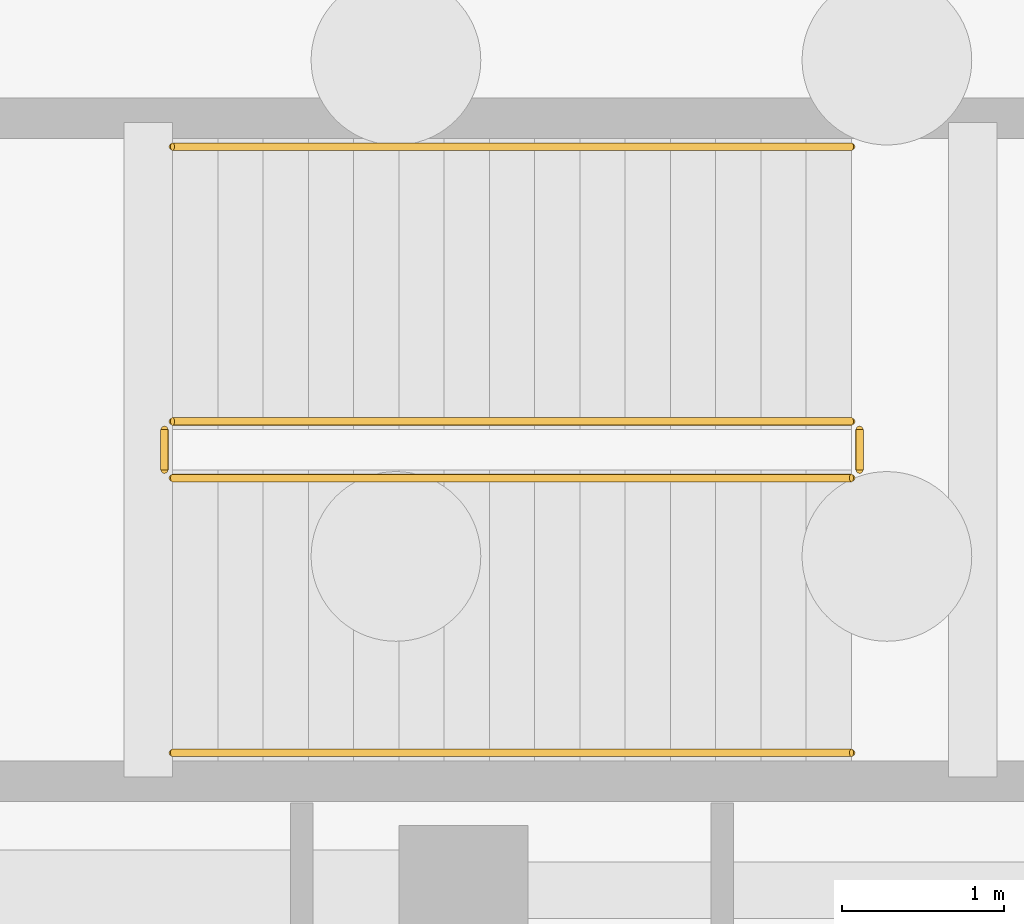
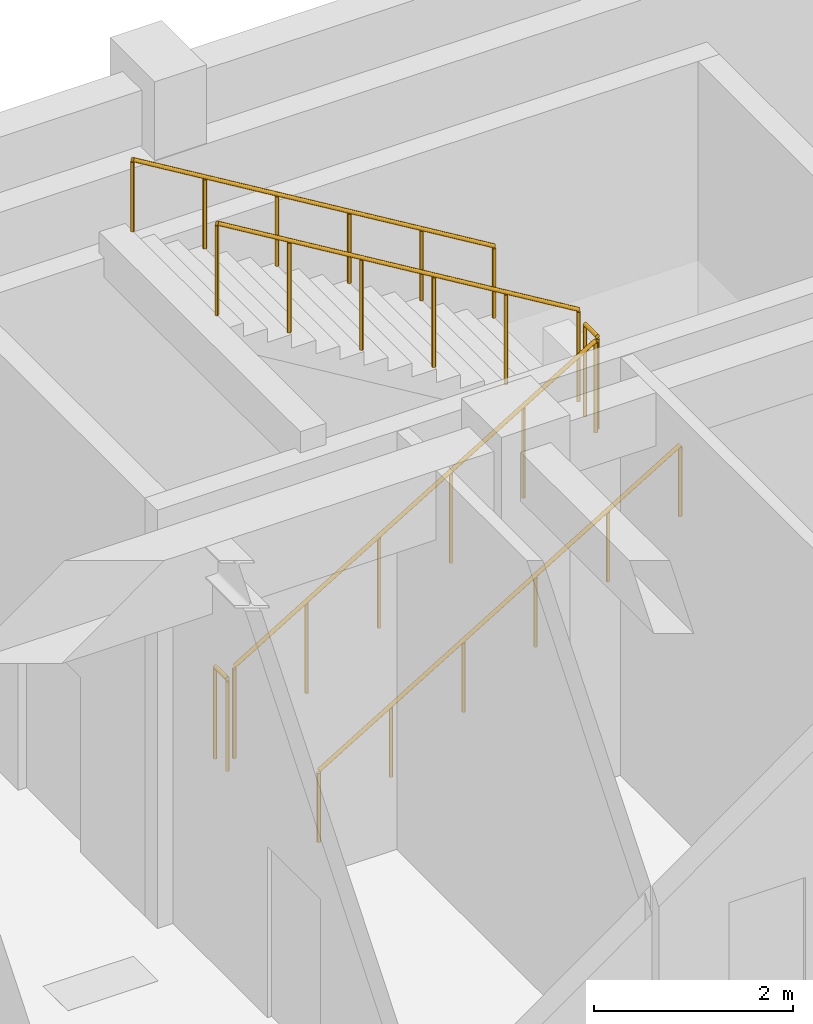
# One storey, part 90 of 91: 6 railings.
"""IFC4 building model written with IfcOpenShell, lengths in metres."""

from ifc_helpers import new_model, si_unit, direction, frame, origin, origin_2d, place, context, subcontext, project, spatial, circle, extrude, material, type_object, element, save


model = new_model("IFC4")

# Units and contexts
model_context = context("Model", 3, precision=1e-05, world=origin(), true_north=direction((0.0, 1.0)))
body_context = subcontext(model_context, "Body", "Model", "MODEL_VIEW")
ifc_project = project(units=[si_unit("LENGTHUNIT", "METRE"), si_unit("AREAUNIT", "SQUARE_METRE"), si_unit("VOLUMEUNIT", "CUBIC_METRE"), si_unit("PLANEANGLEUNIT", "RADIAN"), si_unit("MASSUNIT", "GRAM", prefix="KILO")], contexts=[model_context])

# Site, building, storey
site_placement = place(None, origin())
site = spatial("IfcSite", under=ifc_project, at=site_placement, CompositionType="ELEMENT")
building_placement = place(site_placement, origin())
building = spatial("IfcBuilding", under=site, at=building_placement, Name="Bramveld Media Centre", CompositionType="ELEMENT")
storey_placement = place(building_placement, origin())
storey = spatial("IfcBuildingStorey", under=building, at=storey_placement, Name="L00", CompositionType="ELEMENT", Elevation=0.0)

# Railings
ifc_material_1 = material(Name="Painted galvanized steel stairwell guardrail", Category="steel")
railing_type_1 = type_object("IfcRailingType", Name="RAIL-STAIR-GUARD-1150", PredefinedType="GUARDRAIL", material=ifc_material_1)
railing_1_placement = place(storey_placement, frame((136.60009765625, 107.35009765625, 0.168701171875)))
element("IfcRailing", 1, at=railing_1_placement, inside=storey, type_object=railing_type_1, Name="L00 ST-01 stair guard 1", PredefinedType="GUARDRAIL", context=body_context, shape_type="SweptSolid", body=[
    extrude(circle(Radius=0.02392578125, at=origin_2d()), frame((0.0, 0.0, 1.1259765625), z_axis=(0.856476492594, 0.0, 0.516186030065), x_axis=(0.0, 1.0, 0.0)), (0.0, 0.0, 1.0), 4.90380859375),
    extrude(circle(Radius=0.02099609375, at=origin_2d()), origin(), (0.0, 0.0, 1.0), 1.101806640625),
    extrude(circle(Radius=0.02099609375, at=origin_2d()), frame((0.840087890625, 0.0, 0.50634765625)), (0.0, 0.0, 1.0), 1.101806640625),
    extrude(circle(Radius=0.02099609375, at=origin_2d()), frame((1.679931640625, 0.0, 1.012451171875)), (0.0, 0.0, 1.0), 1.101806640625),
    extrude(circle(Radius=0.02099609375, at=origin_2d()), frame((2.52001953125, 0.0, 1.518798828125)), (0.0, 0.0, 1.0), 1.101806640625),
    extrude(circle(Radius=0.02099609375, at=origin_2d()), frame((3.35986328125, 0.0, 2.02490234375)), (0.0, 0.0, 1.0), 1.101806640625),
    extrude(circle(Radius=0.02099609375, at=origin_2d()), frame((4.199951171875, 0.0, 2.53125)), (0.0, 0.0, 1.0), 1.101806640625),
])
railing_2_placement = place(storey_placement, frame((140.85009765625, 107.39990234375, 2.699951171875)))
element("IfcRailing", 2, at=railing_2_placement, inside=storey, type_object=railing_type_1, Name="L00 ST-01 stair guard 2", PredefinedType="GUARDRAIL", context=body_context, shape_type="SweptSolid", body=[
    extrude(circle(Radius=0.02392578125, at=origin_2d()), frame((0.0, 0.0, 1.1259765625), z_axis=(0.0, 1.0, 0.0), x_axis=(-1.0, 0.0, 0.0)), (0.0, 0.0, 1.0), 0.25),
    extrude(circle(Radius=0.02099609375, at=origin_2d()), origin(), (0.0, 0.0, 1.0), 1.101806640625),
    extrude(circle(Radius=0.02099609375, at=origin_2d()), frame((0.0, 0.25, 0.0)), (0.0, 0.0, 1.0), 1.101806640625),
])
railing_3_placement = place(storey_placement, frame((140.800048828125, 107.699951171875, 2.86865234375)))
element("IfcRailing", 3, at=railing_3_placement, inside=storey, type_object=railing_type_1, Name="L00 ST-01 stair guard 3", PredefinedType="GUARDRAIL", context=body_context, shape_type="SweptSolid", body=[
    extrude(circle(Radius=0.02392578125, at=origin_2d()), frame((0.0, 0.0, 1.1259765625), z_axis=(-0.856476492594, 0.0, 0.516186030065), x_axis=(0.0, -1.0, 0.0)), (0.0, 0.0, 1.0), 4.90380859375),
    extrude(circle(Radius=0.02099609375, at=origin_2d()), origin(), (0.0, 0.0, 1.0), 1.101806640625),
    extrude(circle(Radius=0.02099609375, at=origin_2d()), frame((-0.840087890625, 0.0, 0.50634765625)), (0.0, 0.0, 1.0), 1.101806640625),
    extrude(circle(Radius=0.02099609375, at=origin_2d()), frame((-1.679931640625, 0.0, 1.012451171875)), (0.0, 0.0, 1.0), 1.101806640625),
    extrude(circle(Radius=0.02099609375, at=origin_2d()), frame((-2.52001953125, 0.0, 1.518798828125)), (0.0, 0.0, 1.0), 1.101806640625),
    extrude(circle(Radius=0.02099609375, at=origin_2d()), frame((-3.35986328125, 0.0, 2.02490234375)), (0.0, 0.0, 1.0), 1.101806640625),
    extrude(circle(Radius=0.02099609375, at=origin_2d()), frame((-4.199951171875, 0.0, 2.53125)), (0.0, 0.0, 1.0), 1.101806640625),
])
railing_4_placement = place(storey_placement, frame((136.550048828125, 107.39990234375, 0.0)))
element("IfcRailing", 4, at=railing_4_placement, inside=storey, type_object=railing_type_1, Name="L00 ST-01 stair guard 4", PredefinedType="GUARDRAIL", context=body_context, shape_type="SweptSolid", body=[
    extrude(circle(Radius=0.02392578125, at=origin_2d()), frame((0.0, 0.0, 1.1259765625), z_axis=(0.0, 1.0, 0.0), x_axis=(-1.0, 0.0, 0.0)), (0.0, 0.0, 1.0), 0.25),
    extrude(circle(Radius=0.02099609375, at=origin_2d()), origin(), (0.0, 0.0, 1.0), 1.101806640625),
    extrude(circle(Radius=0.02099609375, at=origin_2d()), frame((0.0, 0.25, 0.0)), (0.0, 0.0, 1.0), 1.101806640625),
])
ifc_material_2 = material(Name="Brushed stainless steel tubular stair handrail", Category="steel")
railing_type_2 = type_object("IfcRailingType", Name="RAIL-STAIR-HAND-0920", PredefinedType="HANDRAIL", material=ifc_material_2)
railing_5_placement = place(storey_placement, frame((136.60009765625, 105.64990234375, 0.168701171875)))
element("IfcRailing", 5, at=railing_5_placement, inside=storey, type_object=railing_type_2, Name="L00 ST-01 stair handrail 1", PredefinedType="HANDRAIL", context=body_context, shape_type="SweptSolid", body=[
    extrude(circle(Radius=0.02392578125, at=origin_2d()), frame((0.0, 0.0, 0.8759765625), z_axis=(0.856476492594, 0.0, 0.516186030065), x_axis=(0.0, 1.0, 0.0)), (0.0, 0.0, 1.0), 4.90380859375),
    extrude(circle(Radius=0.02099609375, at=origin_2d()), origin(), (0.0, 0.0, 1.0), 0.851806640625),
    extrude(circle(Radius=0.02099609375, at=origin_2d()), frame((0.840087890625, 0.0, 0.50634765625)), (0.0, 0.0, 1.0), 0.851806640625),
    extrude(circle(Radius=0.02099609375, at=origin_2d()), frame((1.679931640625, 0.0, 1.012451171875)), (0.0, 0.0, 1.0), 0.851806640625),
    extrude(circle(Radius=0.02099609375, at=origin_2d()), frame((2.52001953125, 0.0, 1.518798828125)), (0.0, 0.0, 1.0), 0.851806640625),
    extrude(circle(Radius=0.02099609375, at=origin_2d()), frame((3.35986328125, 0.0, 2.02490234375)), (0.0, 0.0, 1.0), 0.851806640625),
    extrude(circle(Radius=0.02099609375, at=origin_2d()), frame((4.199951171875, 0.0, 2.53125)), (0.0, 0.0, 1.0), 0.851806640625),
])
railing_6_placement = place(storey_placement, frame((140.800048828125, 109.39990234375, 2.86865234375)))
element("IfcRailing", 6, at=railing_6_placement, inside=storey, type_object=railing_type_2, Name="L00 ST-01 stair handrail 2", PredefinedType="HANDRAIL", context=body_context, shape_type="SweptSolid", body=[
    extrude(circle(Radius=0.02392578125, at=origin_2d()), frame((0.0, 0.0, 0.8759765625), z_axis=(-0.856476492594, 0.0, 0.516186030065), x_axis=(0.0, -1.0, 0.0)), (0.0, 0.0, 1.0), 4.90380859375),
    extrude(circle(Radius=0.02099609375, at=origin_2d()), origin(), (0.0, 0.0, 1.0), 0.851806640625),
    extrude(circle(Radius=0.02099609375, at=origin_2d()), frame((-0.840087890625, 0.0, 0.50634765625)), (0.0, 0.0, 1.0), 0.851806640625),
    extrude(circle(Radius=0.02099609375, at=origin_2d()), frame((-1.679931640625, 0.0, 1.012451171875)), (0.0, 0.0, 1.0), 0.851806640625),
    extrude(circle(Radius=0.02099609375, at=origin_2d()), frame((-2.52001953125, 0.0, 1.518798828125)), (0.0, 0.0, 1.0), 0.851806640625),
    extrude(circle(Radius=0.02099609375, at=origin_2d()), frame((-3.35986328125, 0.0, 2.02490234375)), (0.0, 0.0, 1.0), 0.851806640625),
    extrude(circle(Radius=0.02099609375, at=origin_2d()), frame((-4.199951171875, 0.0, 2.53125)), (0.0, 0.0, 1.0), 0.851806640625),
])

save(model, "model.ifc")
